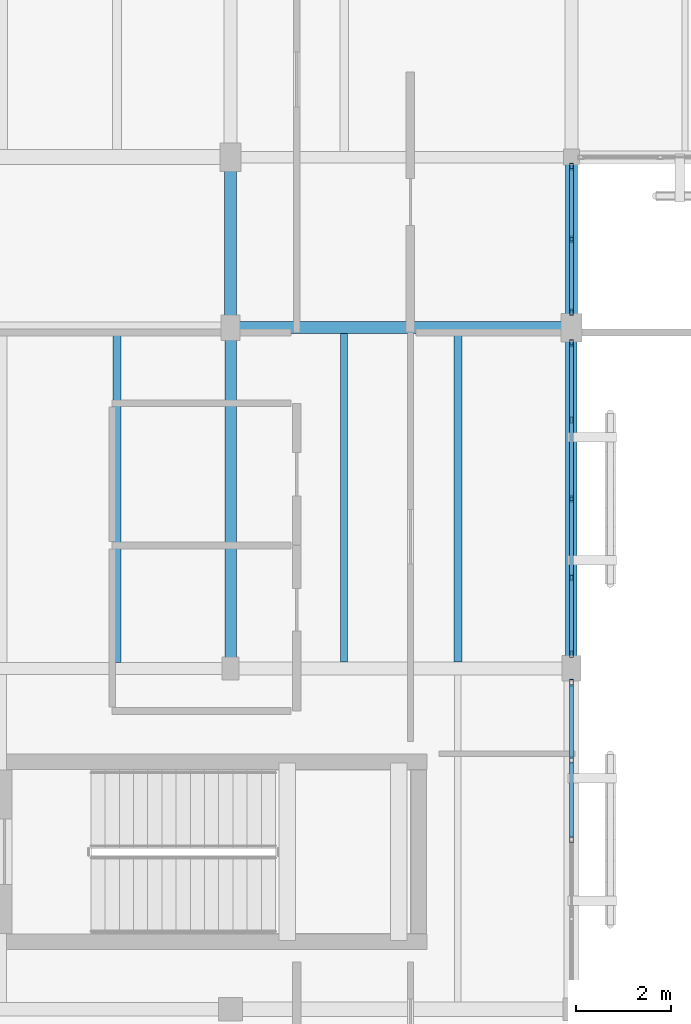
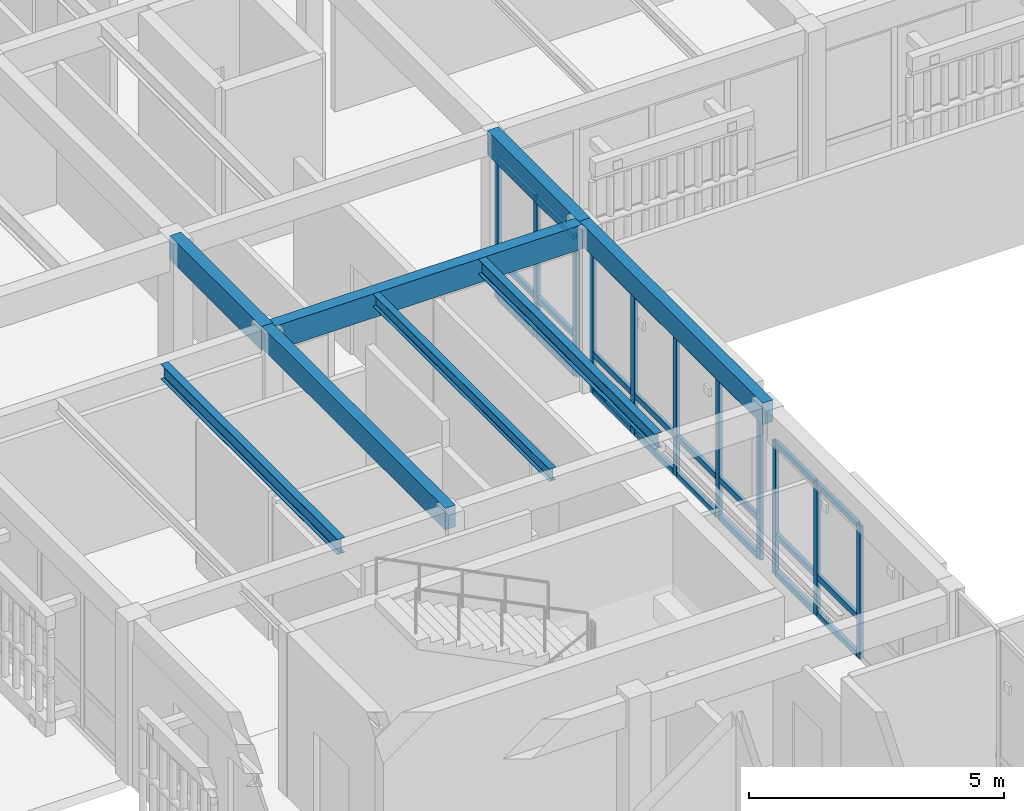
# One storey, part 59 of 112: 35 members, 8 beams, 3 elements without a shape of their own.
"""IFC4 building model written with IfcOpenShell, lengths in metres."""

from ifc_helpers import new_model, si_unit, direction, frame, origin, origin_2d, place, context, subcontext, project, spatial, rectangle, hollow_rectangle, i_section, extrude, material, layer, layer_set, material_profile, profile_set, type_object, element, aggregate, save


model = new_model("IFC4")

# Units and contexts
model_context = context("Model", 3, precision=1e-05, world=origin(), true_north=direction((0.0, 1.0)))
body_context = subcontext(model_context, "Body", "Model", "MODEL_VIEW")
ifc_project = project(units=[si_unit("LENGTHUNIT", "METRE"), si_unit("AREAUNIT", "SQUARE_METRE"), si_unit("VOLUMEUNIT", "CUBIC_METRE"), si_unit("PLANEANGLEUNIT", "RADIAN"), si_unit("MASSUNIT", "GRAM", prefix="KILO")], contexts=[model_context])

# Site, building, storey
site_placement = place(None, origin())
site = spatial("IfcSite", under=ifc_project, at=site_placement, CompositionType="ELEMENT")
building_placement = place(site_placement, origin())
building = spatial("IfcBuilding", under=site, at=building_placement, Name="Mazaris Harbour Polytechnic", CompositionType="ELEMENT")
storey_placement = place(building_placement, frame((0.0, 0.0, 13.800048828125)))
storey = spatial("IfcBuildingStorey", under=building, at=storey_placement, Name="L03", CompositionType="ELEMENT", Elevation=13.800048828125)

# Curtain wall, members
ifc_material_1 = material(Name="Anodised Bronze Aluminium and Low-E Glass", Category="aluminium")
ifc_layer = layer(ifc_material_1, 0.169921875, Name="Anodised Bronze Aluminium and Low-E Glass")
ifc_layer_set = layer_set([ifc_layer], Name="Anodised Bronze Aluminium and Low-E Glass")
curtain_wall_type = type_object("IfcCurtainWallType", Name="Studio North-Light Curtain Wall", PredefinedType="NOTDEFINED", material=ifc_layer_set)
curtain_wall_1_placement = place(storey_placement, origin())
curtain_wall_1 = element("IfcCurtainWall", 1, at=curtain_wall_1_placement, inside=storey, type_object=curtain_wall_type, Name="V5 L03 Curtain Wall 264", PredefinedType="NOTDEFINED")
ifc_material_2 = material(Name="Anodised Bronze Steel S355", Category="steel")
ifc_material_profile_1 = material_profile(ifc_material_2, hollow_rectangle(XDim=0.080078125, YDim=0.139892578125, WallThickness=0.00634765625, at=origin_2d()), Name="RHS 80x140x6.3")
ifc_profile_set_1 = profile_set([ifc_material_profile_1], Name="Anodised Bronze Steel S355")
member_type_1 = type_object("IfcMemberType", Name="Curtain Mullion RHS80x140", PredefinedType="MULLION", material=ifc_profile_set_1)
member_1_placement = place(storey_placement, frame((136.800048828125, 71.985107421875, 0.0), z_axis=(0.0, 0.0, 1.0), x_axis=(-1.0, 0.0, 0.0)))
member_1 = element("IfcMember", 2, at=member_1_placement, type_object=member_type_1, Name="CW-03 mullion 3", PredefinedType="MULLION", context=body_context, shape_type="SweptSolid", body=[
    extrude(hollow_rectangle(XDim=0.080078125, YDim=0.139892578125, WallThickness=0.00634765625, at=origin_2d()), origin(), (0.0, 0.0, 1.0), 3.18505859375),
])
member_2_placement = place(storey_placement, frame((136.800048828125, 73.66162109375, 0.0), z_axis=(0.0, 0.0, 1.0), x_axis=(-1.0, 0.0, 0.0)))
member_2 = element("IfcMember", 3, at=member_2_placement, type_object=member_type_1, Name="CW-03 mullion 4", PredefinedType="MULLION", context=body_context, shape_type="SweptSolid", body=[
    extrude(hollow_rectangle(XDim=0.080078125, YDim=0.139892578125, WallThickness=0.00634765625, at=origin_2d()), origin(), (0.0, 0.0, 1.0), 3.18505859375),
])
member_3_placement = place(storey_placement, frame((136.800048828125, 75.298095703125, 0.0), z_axis=(0.0, 0.0, 1.0), x_axis=(-1.0, 0.0, 0.0)))
member_3 = element("IfcMember", 4, at=member_3_placement, type_object=member_type_1, Name="CW-03 mullion 5", PredefinedType="MULLION", context=body_context, shape_type="SweptSolid", body=[
    extrude(hollow_rectangle(XDim=0.080078125, YDim=0.139892578125, WallThickness=0.00634765625, at=origin_2d()), origin(), (0.0, 0.0, 1.0), 3.18505859375),
])

curtain_wall_2_placement = place(storey_placement, origin())
curtain_wall_2 = element("IfcCurtainWall", 5, at=curtain_wall_2_placement, inside=storey, type_object=curtain_wall_type, Name="V5 L03 Curtain Wall 265", PredefinedType="NOTDEFINED")
member_4_placement = place(storey_placement, frame((136.800048828125, 75.902099609375, 0.0), z_axis=(0.0, 0.0, 1.0), x_axis=(-1.0, 0.0, 0.0)))
member_4 = element("IfcMember", 6, at=member_4_placement, type_object=member_type_1, Name="CW-03 mullion 1", PredefinedType="MULLION", context=body_context, shape_type="SweptSolid", body=[
    extrude(hollow_rectangle(XDim=0.080078125, YDim=0.139892578125, WallThickness=0.00634765625, at=origin_2d()), origin(), (0.0, 0.0, 1.0), 3.405029296875),
])
member_5_placement = place(storey_placement, frame((136.800048828125, 77.5234375, 0.0), z_axis=(0.0, 0.0, 1.0), x_axis=(-1.0, 0.0, 0.0)))
member_5 = element("IfcMember", 7, at=member_5_placement, type_object=member_type_1, Name="CW-03 mullion 2", PredefinedType="MULLION", context=body_context, shape_type="SweptSolid", body=[
    extrude(hollow_rectangle(XDim=0.080078125, YDim=0.139892578125, WallThickness=0.00634765625, at=origin_2d()), origin(), (0.0, 0.0, 1.0), 3.405029296875),
])
member_6_placement = place(storey_placement, frame((136.800048828125, 79.18505859375, 0.0), z_axis=(0.0, 0.0, 1.0), x_axis=(-1.0, 0.0, 0.0)))
member_6 = element("IfcMember", 8, at=member_6_placement, type_object=member_type_1, Name="CW-03 mullion 3", PredefinedType="MULLION", context=body_context, shape_type="SweptSolid", body=[
    extrude(hollow_rectangle(XDim=0.080078125, YDim=0.139892578125, WallThickness=0.00634765625, at=origin_2d()), origin(), (0.0, 0.0, 1.0), 3.405029296875),
])
member_7_placement = place(storey_placement, frame((136.800048828125, 80.846435546875, 0.0), z_axis=(0.0, 0.0, 1.0), x_axis=(-1.0, 0.0, 0.0)))
member_7 = element("IfcMember", 9, at=member_7_placement, type_object=member_type_1, Name="CW-03 mullion 4", PredefinedType="MULLION", context=body_context, shape_type="SweptSolid", body=[
    extrude(hollow_rectangle(XDim=0.080078125, YDim=0.139892578125, WallThickness=0.00634765625, at=origin_2d()), origin(), (0.0, 0.0, 1.0), 3.405029296875),
])
member_8_placement = place(storey_placement, frame((136.800048828125, 82.468017578125, 0.0), z_axis=(0.0, 0.0, 1.0), x_axis=(-1.0, 0.0, 0.0)))
member_8 = element("IfcMember", 10, at=member_8_placement, type_object=member_type_1, Name="CW-03 mullion 5", PredefinedType="MULLION", context=body_context, shape_type="SweptSolid", body=[
    extrude(hollow_rectangle(XDim=0.080078125, YDim=0.139892578125, WallThickness=0.00634765625, at=origin_2d()), origin(), (0.0, 0.0, 1.0), 3.405029296875),
])

curtain_wall_3_placement = place(storey_placement, origin())
curtain_wall_3 = element("IfcCurtainWall", 11, at=curtain_wall_3_placement, inside=storey, type_object=curtain_wall_type, Name="V5 L03 Curtain Wall 266", PredefinedType="NOTDEFINED")
member_9_placement = place(storey_placement, frame((136.800048828125, 83.132080078125, 0.0), z_axis=(0.0, 0.0, 1.0), x_axis=(-1.0, 0.0, 0.0)))
member_9 = element("IfcMember", 12, at=member_9_placement, type_object=member_type_1, Name="CW-03 mullion 1", PredefinedType="MULLION", context=body_context, shape_type="SweptSolid", body=[
    extrude(hollow_rectangle(XDim=0.080078125, YDim=0.139892578125, WallThickness=0.00634765625, at=origin_2d()), origin(), (0.0, 0.0, 1.0), 3.344970703125),
])
member_10_placement = place(storey_placement, frame((136.800048828125, 84.6650390625, 0.0), z_axis=(0.0, 0.0, 1.0), x_axis=(-1.0, 0.0, 0.0)))
member_10 = element("IfcMember", 13, at=member_10_placement, type_object=member_type_1, Name="CW-03 mullion 2", PredefinedType="MULLION", context=body_context, shape_type="SweptSolid", body=[
    extrude(hollow_rectangle(XDim=0.080078125, YDim=0.139892578125, WallThickness=0.00634765625, at=origin_2d()), origin(), (0.0, 0.0, 1.0), 3.344970703125),
])
member_11_placement = place(storey_placement, frame((136.800048828125, 86.197998046875, 0.0), z_axis=(0.0, 0.0, 1.0), x_axis=(-1.0, 0.0, 0.0)))
member_11 = element("IfcMember", 14, at=member_11_placement, type_object=member_type_1, Name="CW-03 mullion 3", PredefinedType="MULLION", context=body_context, shape_type="SweptSolid", body=[
    extrude(hollow_rectangle(XDim=0.080078125, YDim=0.139892578125, WallThickness=0.00634765625, at=origin_2d()), origin(), (0.0, 0.0, 1.0), 3.344970703125),
])

# Member
ifc_material_3 = material(Name="Anodised Bronze Steel S355", Category="steel")
ifc_material_profile_2 = material_profile(ifc_material_3, hollow_rectangle(XDim=0.080078125, YDim=0.139892578125, WallThickness=0.00634765625, at=origin_2d()), Name="RHS 80x140x6.3")
ifc_profile_set_2 = profile_set([ifc_material_profile_2], Name="Anodised Bronze Steel S355")
member_type_2 = type_object("IfcMemberType", Name="Curtain Transom RHS80x140", PredefinedType="USERDEFINED", material=ifc_profile_set_2)
member_12_placement = place(storey_placement, frame((136.800048828125, 72.02490234375, 0.0400390625), z_axis=(0.0, 1.0, 0.0), x_axis=(-1.0, 0.0, 0.0)))
member_12 = element("IfcMember", 15, at=member_12_placement, type_object=member_type_2, Name="CW-03 transom 3.1", ObjectType="TRANSOM", PredefinedType="USERDEFINED", context=body_context, shape_type="SweptSolid", body=[
    extrude(hollow_rectangle(XDim=0.080078125, YDim=0.139892578125, WallThickness=0.00634765625, at=origin_2d()), origin(), (0.0, 0.0, 1.0), 1.5966796875),
])

member_13_placement = place(storey_placement, frame((136.800048828125, 72.02490234375, 0.949951171875), z_axis=(0.0, 1.0, 0.0), x_axis=(-1.0, 0.0, 0.0)))
member_13 = element("IfcMember", 16, at=member_13_placement, type_object=member_type_2, Name="CW-03 transom 3.2", ObjectType="TRANSOM", PredefinedType="USERDEFINED", context=body_context, shape_type="SweptSolid", body=[
    extrude(hollow_rectangle(XDim=0.080078125, YDim=0.139892578125, WallThickness=0.00634765625, at=origin_2d()), origin(), (0.0, 0.0, 1.0), 1.5966796875),
])

member_14_placement = place(storey_placement, frame((136.800048828125, 72.02490234375, 3.14501953125), z_axis=(0.0, 1.0, 0.0), x_axis=(-1.0, 0.0, 0.0)))
member_14 = element("IfcMember", 17, at=member_14_placement, type_object=member_type_2, Name="CW-03 transom 3.3", ObjectType="TRANSOM", PredefinedType="USERDEFINED", context=body_context, shape_type="SweptSolid", body=[
    extrude(hollow_rectangle(XDim=0.080078125, YDim=0.139892578125, WallThickness=0.00634765625, at=origin_2d()), origin(), (0.0, 0.0, 1.0), 1.5966796875),
])

member_15_placement = place(storey_placement, frame((136.800048828125, 73.701416015625, 0.0400390625), z_axis=(0.0, 1.0, 0.0), x_axis=(-1.0, 0.0, 0.0)))
member_15 = element("IfcMember", 18, at=member_15_placement, type_object=member_type_2, Name="CW-03 transom 4.1", ObjectType="TRANSOM", PredefinedType="USERDEFINED", context=body_context, shape_type="SweptSolid", body=[
    extrude(hollow_rectangle(XDim=0.080078125, YDim=0.139892578125, WallThickness=0.00634765625, at=origin_2d()), origin(), (0.0, 0.0, 1.0), 1.556640625),
])

member_16_placement = place(storey_placement, frame((136.800048828125, 73.701416015625, 0.949951171875), z_axis=(0.0, 1.0, 0.0), x_axis=(-1.0, 0.0, 0.0)))
member_16 = element("IfcMember", 19, at=member_16_placement, type_object=member_type_2, Name="CW-03 transom 4.2", ObjectType="TRANSOM", PredefinedType="USERDEFINED", context=body_context, shape_type="SweptSolid", body=[
    extrude(hollow_rectangle(XDim=0.080078125, YDim=0.139892578125, WallThickness=0.00634765625, at=origin_2d()), origin(), (0.0, 0.0, 1.0), 1.556640625),
])

member_17_placement = place(storey_placement, frame((136.800048828125, 73.701416015625, 3.14501953125), z_axis=(0.0, 1.0, 0.0), x_axis=(-1.0, 0.0, 0.0)))
member_17 = element("IfcMember", 20, at=member_17_placement, type_object=member_type_2, Name="CW-03 transom 4.3", ObjectType="TRANSOM", PredefinedType="USERDEFINED", context=body_context, shape_type="SweptSolid", body=[
    extrude(hollow_rectangle(XDim=0.080078125, YDim=0.139892578125, WallThickness=0.00634765625, at=origin_2d()), origin(), (0.0, 0.0, 1.0), 1.556640625),
])

aggregate(curtain_wall_1, [member_1, member_2, member_3, member_12, member_13, member_14, member_15, member_16, member_17])

member_18_placement = place(storey_placement, frame((136.800048828125, 75.94189453125, 0.0400390625), z_axis=(0.0, 1.0, 0.0), x_axis=(-1.0, 0.0, 0.0)))
member_18 = element("IfcMember", 21, at=member_18_placement, type_object=member_type_2, Name="CW-03 transom 1.1", ObjectType="TRANSOM", PredefinedType="USERDEFINED", context=body_context, shape_type="SweptSolid", body=[
    extrude(hollow_rectangle(XDim=0.080078125, YDim=0.139892578125, WallThickness=0.00634765625, at=origin_2d()), origin(), (0.0, 0.0, 1.0), 1.54150390625),
])

member_19_placement = place(storey_placement, frame((136.800048828125, 75.94189453125, 0.949951171875), z_axis=(0.0, 1.0, 0.0), x_axis=(-1.0, 0.0, 0.0)))
member_19 = element("IfcMember", 22, at=member_19_placement, type_object=member_type_2, Name="CW-03 transom 1.2", ObjectType="TRANSOM", PredefinedType="USERDEFINED", context=body_context, shape_type="SweptSolid", body=[
    extrude(hollow_rectangle(XDim=0.080078125, YDim=0.139892578125, WallThickness=0.00634765625, at=origin_2d()), origin(), (0.0, 0.0, 1.0), 1.54150390625),
])

member_20_placement = place(storey_placement, frame((136.800048828125, 75.94189453125, 3.364990234375), z_axis=(0.0, 1.0, 0.0), x_axis=(-1.0, 0.0, 0.0)))
member_20 = element("IfcMember", 23, at=member_20_placement, type_object=member_type_2, Name="CW-03 transom 1.3", ObjectType="TRANSOM", PredefinedType="USERDEFINED", context=body_context, shape_type="SweptSolid", body=[
    extrude(hollow_rectangle(XDim=0.080078125, YDim=0.139892578125, WallThickness=0.00634765625, at=origin_2d()), origin(), (0.0, 0.0, 1.0), 1.54150390625),
])

member_21_placement = place(storey_placement, frame((136.800048828125, 77.5634765625, 0.0400390625), z_axis=(0.0, 1.0, 0.0), x_axis=(-1.0, 0.0, 0.0)))
member_21 = element("IfcMember", 24, at=member_21_placement, type_object=member_type_2, Name="CW-03 transom 2.1", ObjectType="TRANSOM", PredefinedType="USERDEFINED", context=body_context, shape_type="SweptSolid", body=[
    extrude(hollow_rectangle(XDim=0.080078125, YDim=0.139892578125, WallThickness=0.00634765625, at=origin_2d()), origin(), (0.0, 0.0, 1.0), 1.58154296875),
])

member_22_placement = place(storey_placement, frame((136.800048828125, 77.5634765625, 0.949951171875), z_axis=(0.0, 1.0, 0.0), x_axis=(-1.0, 0.0, 0.0)))
member_22 = element("IfcMember", 25, at=member_22_placement, type_object=member_type_2, Name="CW-03 transom 2.2", ObjectType="TRANSOM", PredefinedType="USERDEFINED", context=body_context, shape_type="SweptSolid", body=[
    extrude(hollow_rectangle(XDim=0.080078125, YDim=0.139892578125, WallThickness=0.00634765625, at=origin_2d()), origin(), (0.0, 0.0, 1.0), 1.58154296875),
])

member_23_placement = place(storey_placement, frame((136.800048828125, 77.5634765625, 3.364990234375), z_axis=(0.0, 1.0, 0.0), x_axis=(-1.0, 0.0, 0.0)))
member_23 = element("IfcMember", 26, at=member_23_placement, type_object=member_type_2, Name="CW-03 transom 2.3", ObjectType="TRANSOM", PredefinedType="USERDEFINED", context=body_context, shape_type="SweptSolid", body=[
    extrude(hollow_rectangle(XDim=0.080078125, YDim=0.139892578125, WallThickness=0.00634765625, at=origin_2d()), origin(), (0.0, 0.0, 1.0), 1.58154296875),
])

member_24_placement = place(storey_placement, frame((136.800048828125, 79.22509765625, 0.0400390625), z_axis=(0.0, 1.0, 0.0), x_axis=(-1.0, 0.0, 0.0)))
member_24 = element("IfcMember", 27, at=member_24_placement, type_object=member_type_2, Name="CW-03 transom 3.1", ObjectType="TRANSOM", PredefinedType="USERDEFINED", context=body_context, shape_type="SweptSolid", body=[
    extrude(hollow_rectangle(XDim=0.080078125, YDim=0.139892578125, WallThickness=0.00634765625, at=origin_2d()), origin(), (0.0, 0.0, 1.0), 1.581298828125),
])

member_25_placement = place(storey_placement, frame((136.800048828125, 79.22509765625, 0.949951171875), z_axis=(0.0, 1.0, 0.0), x_axis=(-1.0, 0.0, 0.0)))
member_25 = element("IfcMember", 28, at=member_25_placement, type_object=member_type_2, Name="CW-03 transom 3.2", ObjectType="TRANSOM", PredefinedType="USERDEFINED", context=body_context, shape_type="SweptSolid", body=[
    extrude(hollow_rectangle(XDim=0.080078125, YDim=0.139892578125, WallThickness=0.00634765625, at=origin_2d()), origin(), (0.0, 0.0, 1.0), 1.581298828125),
])

member_26_placement = place(storey_placement, frame((136.800048828125, 79.22509765625, 3.364990234375), z_axis=(0.0, 1.0, 0.0), x_axis=(-1.0, 0.0, 0.0)))
member_26 = element("IfcMember", 29, at=member_26_placement, type_object=member_type_2, Name="CW-03 transom 3.3", ObjectType="TRANSOM", PredefinedType="USERDEFINED", context=body_context, shape_type="SweptSolid", body=[
    extrude(hollow_rectangle(XDim=0.080078125, YDim=0.139892578125, WallThickness=0.00634765625, at=origin_2d()), origin(), (0.0, 0.0, 1.0), 1.581298828125),
])

member_27_placement = place(storey_placement, frame((136.800048828125, 80.886474609375, 0.0400390625), z_axis=(0.0, 1.0, 0.0), x_axis=(-1.0, 0.0, 0.0)))
member_27 = element("IfcMember", 30, at=member_27_placement, type_object=member_type_2, Name="CW-03 transom 4.1", ObjectType="TRANSOM", PredefinedType="USERDEFINED", context=body_context, shape_type="SweptSolid", body=[
    extrude(hollow_rectangle(XDim=0.080078125, YDim=0.139892578125, WallThickness=0.00634765625, at=origin_2d()), origin(), (0.0, 0.0, 1.0), 1.54150390625),
])

member_28_placement = place(storey_placement, frame((136.800048828125, 80.886474609375, 0.949951171875), z_axis=(0.0, 1.0, 0.0), x_axis=(-1.0, 0.0, 0.0)))
member_28 = element("IfcMember", 31, at=member_28_placement, type_object=member_type_2, Name="CW-03 transom 4.2", ObjectType="TRANSOM", PredefinedType="USERDEFINED", context=body_context, shape_type="SweptSolid", body=[
    extrude(hollow_rectangle(XDim=0.080078125, YDim=0.139892578125, WallThickness=0.00634765625, at=origin_2d()), origin(), (0.0, 0.0, 1.0), 1.54150390625),
])

member_29_placement = place(storey_placement, frame((136.800048828125, 80.886474609375, 3.364990234375), z_axis=(0.0, 1.0, 0.0), x_axis=(-1.0, 0.0, 0.0)))
member_29 = element("IfcMember", 32, at=member_29_placement, type_object=member_type_2, Name="CW-03 transom 4.3", ObjectType="TRANSOM", PredefinedType="USERDEFINED", context=body_context, shape_type="SweptSolid", body=[
    extrude(hollow_rectangle(XDim=0.080078125, YDim=0.139892578125, WallThickness=0.00634765625, at=origin_2d()), origin(), (0.0, 0.0, 1.0), 1.54150390625),
])

aggregate(curtain_wall_2, [member_4, member_5, member_6, member_7, member_8, member_18, member_19, member_20, member_21, member_22, member_23, member_24, member_25, member_26, member_27, member_28, member_29])

member_30_placement = place(storey_placement, frame((136.800048828125, 83.172119140625, 0.0400390625), z_axis=(0.0, 1.0, 0.0), x_axis=(-1.0, 0.0, 0.0)))
member_30 = element("IfcMember", 33, at=member_30_placement, type_object=member_type_2, Name="CW-03 transom 1.1", ObjectType="TRANSOM", PredefinedType="USERDEFINED", context=body_context, shape_type="SweptSolid", body=[
    extrude(hollow_rectangle(XDim=0.080078125, YDim=0.139892578125, WallThickness=0.00634765625, at=origin_2d()), origin(), (0.0, 0.0, 1.0), 1.452880859375),
])

member_31_placement = place(storey_placement, frame((136.800048828125, 83.172119140625, 0.949951171875), z_axis=(0.0, 1.0, 0.0), x_axis=(-1.0, 0.0, 0.0)))
member_31 = element("IfcMember", 34, at=member_31_placement, type_object=member_type_2, Name="CW-03 transom 1.2", ObjectType="TRANSOM", PredefinedType="USERDEFINED", context=body_context, shape_type="SweptSolid", body=[
    extrude(hollow_rectangle(XDim=0.080078125, YDim=0.139892578125, WallThickness=0.00634765625, at=origin_2d()), origin(), (0.0, 0.0, 1.0), 1.452880859375),
])

member_32_placement = place(storey_placement, frame((136.800048828125, 83.172119140625, 3.304931640625), z_axis=(0.0, 1.0, 0.0), x_axis=(-1.0, 0.0, 0.0)))
member_32 = element("IfcMember", 35, at=member_32_placement, type_object=member_type_2, Name="CW-03 transom 1.3", ObjectType="TRANSOM", PredefinedType="USERDEFINED", context=body_context, shape_type="SweptSolid", body=[
    extrude(hollow_rectangle(XDim=0.080078125, YDim=0.139892578125, WallThickness=0.00634765625, at=origin_2d()), origin(), (0.0, 0.0, 1.0), 1.452880859375),
])

member_33_placement = place(storey_placement, frame((136.800048828125, 84.705078125, 0.0400390625), z_axis=(0.0, 1.0, 0.0), x_axis=(-1.0, 0.0, 0.0)))
member_33 = element("IfcMember", 36, at=member_33_placement, type_object=member_type_2, Name="CW-03 transom 2.1", ObjectType="TRANSOM", PredefinedType="USERDEFINED", context=body_context, shape_type="SweptSolid", body=[
    extrude(hollow_rectangle(XDim=0.080078125, YDim=0.139892578125, WallThickness=0.00634765625, at=origin_2d()), origin(), (0.0, 0.0, 1.0), 1.452880859375),
])

member_34_placement = place(storey_placement, frame((136.800048828125, 84.705078125, 0.949951171875), z_axis=(0.0, 1.0, 0.0), x_axis=(-1.0, 0.0, 0.0)))
member_34 = element("IfcMember", 37, at=member_34_placement, type_object=member_type_2, Name="CW-03 transom 2.2", ObjectType="TRANSOM", PredefinedType="USERDEFINED", context=body_context, shape_type="SweptSolid", body=[
    extrude(hollow_rectangle(XDim=0.080078125, YDim=0.139892578125, WallThickness=0.00634765625, at=origin_2d()), origin(), (0.0, 0.0, 1.0), 1.452880859375),
])

member_35_placement = place(storey_placement, frame((136.800048828125, 84.705078125, 3.304931640625), z_axis=(0.0, 1.0, 0.0), x_axis=(-1.0, 0.0, 0.0)))
member_35 = element("IfcMember", 38, at=member_35_placement, type_object=member_type_2, Name="CW-03 transom 2.3", ObjectType="TRANSOM", PredefinedType="USERDEFINED", context=body_context, shape_type="SweptSolid", body=[
    extrude(hollow_rectangle(XDim=0.080078125, YDim=0.139892578125, WallThickness=0.00634765625, at=origin_2d()), origin(), (0.0, 0.0, 1.0), 1.452880859375),
])

aggregate(curtain_wall_3, [member_9, member_10, member_11, member_30, member_31, member_32, member_33, member_34, member_35])

# Beams
ifc_material_4 = material(Name="Glulam GL32h", Category="wood")
ifc_material_profile_3 = material_profile(ifc_material_4, rectangle(XDim=0.239990234375, YDim=0.52001953125, at=origin_2d()), Name="RECT240x520")
ifc_profile_set_3 = profile_set([ifc_material_profile_3], Name="Glulam GL32h")
beam_type_1 = type_object("IfcBeamType", Name="Glulam Girder 240x520", PredefinedType="BEAM", material=ifc_profile_set_3)
for number, where, z_axis, x_axis, name in (
    (39, (129.60009765625, 75.60009765625, 3.675048828125), (0.0, 1.0, 0.0), (-1.0, 0.0, 0.0), "V5 L03 Tie Girder 3335"),
    (40, (136.800048828125, 75.60009765625, 3.675048828125), (0.0, 1.0, 0.0), (-1.0, 0.0, 0.0), "V5 L03 Tie Girder 3340"),
):
    element("IfcBeam", number, at=place(storey_placement, frame(where, z_axis=z_axis, x_axis=x_axis)), inside=storey, type_object=beam_type_1, Name=name, PredefinedType="BEAM", context=body_context, shape_type="SweptSolid", body=[
        extrude(rectangle(XDim=0.239990234375, YDim=0.52001953125, at=origin_2d()), origin(), (0.0, 0.0, 1.0), 7.199951171875),
    ])
ifc_material_5 = material(Name="Glulam GL32h", Category="wood")
ifc_material_profile_4 = material_profile(ifc_material_5, rectangle(XDim=0.260009765625, YDim=0.580078125, at=origin_2d()), Name="RECT260x580")
ifc_profile_set_4 = profile_set([ifc_material_profile_4], Name="Glulam GL32h")
beam_type_2 = type_object("IfcBeamType", Name="Glulam Girder 260x580", PredefinedType="BEAM", material=ifc_profile_set_4)
beam_1_placement = place(storey_placement, frame((129.60009765625, 82.800048828125, 3.64501953125), z_axis=(1.0, 0.0, 0.0), x_axis=(0.0, 1.0, 0.0)))
element("IfcBeam", 41, at=beam_1_placement, inside=storey, type_object=beam_type_2, Name="V5 L03 Girder 3306", PredefinedType="BEAM", context=body_context, shape_type="SweptSolid", body=[
    extrude(rectangle(XDim=0.260009765625, YDim=0.580078125, at=origin_2d()), origin(), (0.0, 0.0, 1.0), 7.199951171875),
])
for number, where, z_axis, x_axis, name in (
    (42, (129.60009765625, 82.800048828125, 3.64501953125), (0.0, 1.0, 0.0), (-1.0, 0.0, 0.0), "V5 L03 Tie Girder 3336"),
    (43, (136.800048828125, 82.800048828125, 3.64501953125), (0.0, 1.0, 0.0), (-1.0, 0.0, 0.0), "V5 L03 Tie Girder 3341"),
):
    element("IfcBeam", number, at=place(storey_placement, frame(where, z_axis=z_axis, x_axis=x_axis)), inside=storey, type_object=beam_type_2, Name=name, PredefinedType="BEAM", context=body_context, shape_type="SweptSolid", body=[
        extrude(rectangle(XDim=0.260009765625, YDim=0.580078125, at=origin_2d()), origin(), (0.0, 0.0, 1.0), 3.599853515625),
    ])
ifc_material_6 = material(Name="Steel S355", Category="steel")
ifc_material_profile_5 = material_profile(ifc_material_6, i_section(OverallWidth=0.14990234375, OverallDepth=0.300048828125, WebThickness=0.007080078125, FlangeThickness=0.0107421875, FilletRadius=0.014892578125, at=origin_2d()), Name="IPE 300")
ifc_profile_set_5 = profile_set([ifc_material_profile_5], Name="Steel S355")
beam_type_3 = type_object("IfcBeamType", Name="Steel Joist IPE300", PredefinedType="JOIST", material=ifc_profile_set_5)
beam_2_placement = place(storey_placement, frame((132.0, 75.739990234375, 3.784912109375), z_axis=(0.0, 1.0, 0.0), x_axis=(-1.0, 0.0, 0.0)))
element("IfcBeam", 44, at=beam_2_placement, inside=storey, type_object=beam_type_3, Name="V5 L03 Floor Joist 3370", PredefinedType="JOIST", context=body_context, shape_type="SweptSolid", body=[
    extrude(i_section(OverallWidth=0.14990234375, OverallDepth=0.300048828125, WebThickness=0.007080078125, FlangeThickness=0.0107421875, FilletRadius=0.014892578125, at=origin_2d()), origin(), (0.0, 0.0, 1.0), 6.929931640625),
])
ifc_material_7 = material(Name="Steel S355", Category="steel")
ifc_material_profile_6 = material_profile(ifc_material_7, i_section(OverallWidth=0.169921875, OverallDepth=0.360107421875, WebThickness=0.008056640625, FlangeThickness=0.0126953125, FilletRadius=0.01806640625, at=origin_2d()), Name="IPE 360")
ifc_profile_set_6 = profile_set([ifc_material_profile_6], Name="Steel S355")
beam_type_4 = type_object("IfcBeamType", Name="Steel Joist IPE360", PredefinedType="JOIST", material=ifc_profile_set_6)
beam_3_placement = place(storey_placement, frame((127.199951171875, 75.72998046875, 3.7548828125), z_axis=(0.0, 1.0, 0.0), x_axis=(-1.0, 0.0, 0.0)))
element("IfcBeam", 45, at=beam_3_placement, inside=storey, type_object=beam_type_4, Name="V5 L03 Floor Joist 3364", PredefinedType="JOIST", context=body_context, shape_type="SweptSolid", body=[
    extrude(i_section(OverallWidth=0.169921875, OverallDepth=0.360107421875, WebThickness=0.008056640625, FlangeThickness=0.0126953125, FilletRadius=0.01806640625, at=origin_2d()), origin(), (0.0, 0.0, 1.0), 6.949951171875),
])
beam_4_placement = place(storey_placement, frame((134.39990234375, 75.739990234375, 3.7548828125), z_axis=(0.0, 1.0, 0.0), x_axis=(-1.0, 0.0, 0.0)))
element("IfcBeam", 46, at=beam_4_placement, inside=storey, type_object=beam_type_4, Name="V5 L03 Floor Joist 3371", PredefinedType="JOIST", context=body_context, shape_type="SweptSolid", body=[
    extrude(i_section(OverallWidth=0.169921875, OverallDepth=0.360107421875, WebThickness=0.008056640625, FlangeThickness=0.0126953125, FilletRadius=0.01806640625, at=origin_2d()), origin(), (0.0, 0.0, 1.0), 6.929931640625),
])

save(model, "model.ifc")
